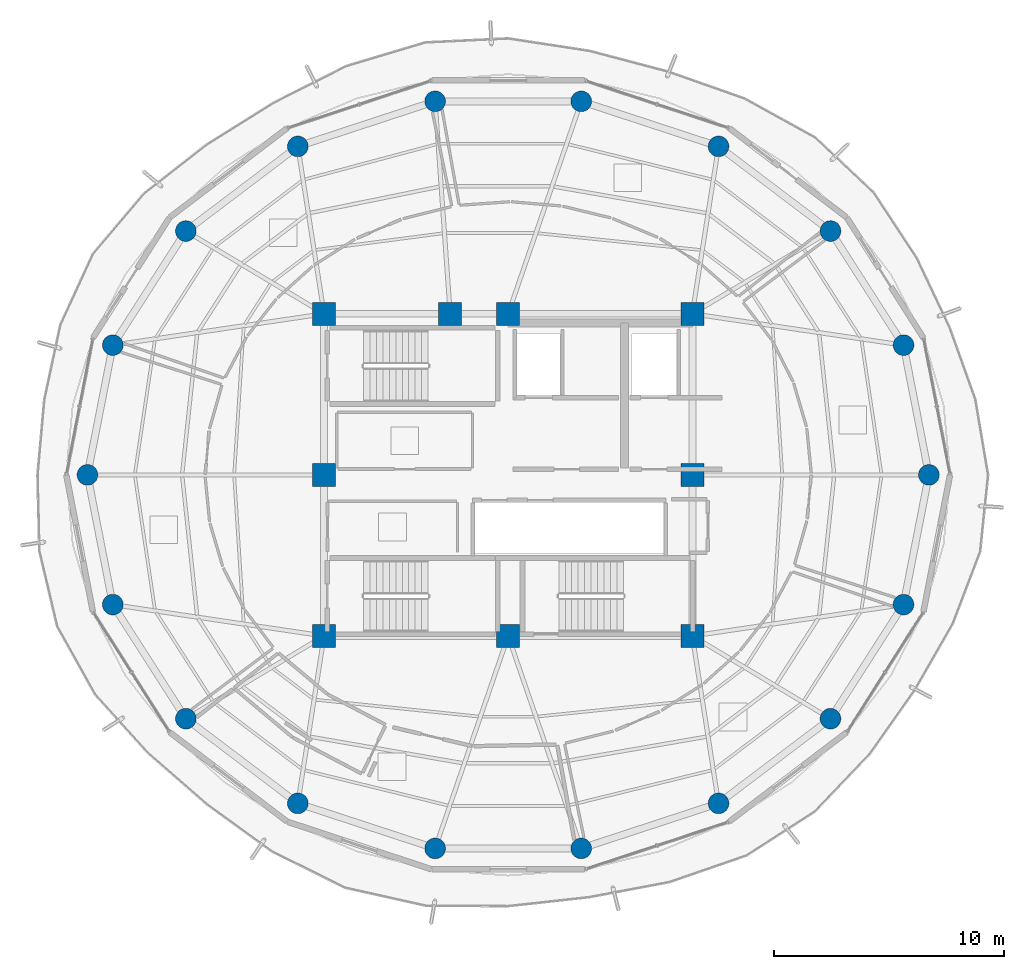
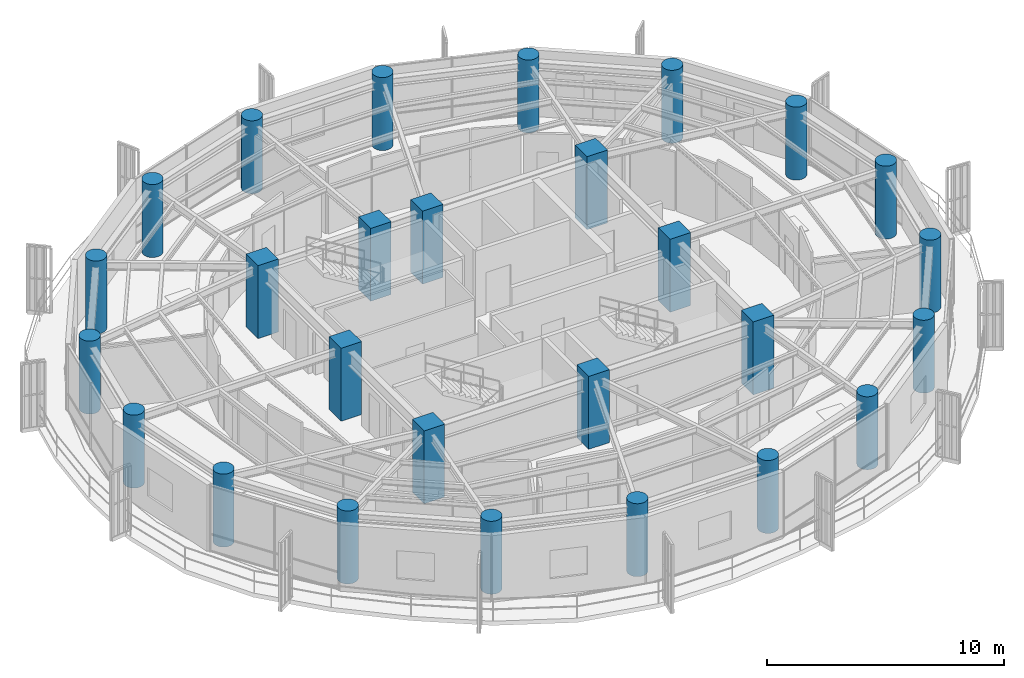
# One storey, part 1 of 23: 27 columns.
"""IFC4 building model written with IfcOpenShell, lengths in metres."""

from ifc_helpers import new_model, si_unit, direction, frame, origin, origin_2d, place, context, subcontext, project, spatial, rectangle, circle, extrude, material, material_profile, profile_set, type_object, element, save


model = new_model("IFC4")

# Units and contexts
model_context = context("Model", 3, precision=1e-05, world=origin(), true_north=direction((0.0, 1.0)))
body_context = subcontext(model_context, "Body", "Model", "MODEL_VIEW")
ifc_project = project(units=[si_unit("LENGTHUNIT", "METRE"), si_unit("AREAUNIT", "SQUARE_METRE"), si_unit("VOLUMEUNIT", "CUBIC_METRE"), si_unit("PLANEANGLEUNIT", "RADIAN"), si_unit("MASSUNIT", "GRAM", prefix="KILO")], contexts=[model_context])

# Site, building, storey
site_placement = place(None, origin())
site = spatial("IfcSite", under=ifc_project, at=site_placement, CompositionType="ELEMENT")
building_placement = place(site_placement, origin())
building = spatial("IfcBuilding", under=site, at=building_placement, Name="Kelanora Arch Commons", CompositionType="ELEMENT")
storey_placement = place(building_placement, frame((0.0, 0.0, 289.949951171875)))
storey = spatial("IfcBuildingStorey", under=building, at=storey_placement, Name="L74", CompositionType="ELEMENT", Elevation=289.949951171875)

# Columns
ifc_material = material(Name="Concrete C50/60", Category="concrete")
ifc_material_profile_1 = material_profile(ifc_material, circle(Radius=0.449951171875, at=origin_2d()), Name="RCC900")
ifc_profile_set_1 = profile_set([ifc_material_profile_1], Name="Concrete C50/60")
column_type_1 = type_object("IfcColumnType", Name="COL-PERIM-Z5", PredefinedType="COLUMN", material=ifc_profile_set_1)
for number, where, z_axis, x_axis, name in (
    (1, (92.280029296875, 58.0, 0.0), (0.0, 0.0, 1.0), (1.0, 0.0, 0.0), "Perimeter Ring Column CP-00 L74"),
    (2, (91.177490234375, 63.636474609375, 0.0), (0.0, 0.0, 1.0), (1.0, 0.0, 0.0), "Perimeter Ring Column CP-02 L74"),
    (3, (88.00341796875, 68.593017578125, 0.0), (0.0, 0.0, 1.0), (1.0, 0.0, 0.0), "Perimeter Ring Column CP-04 L74"),
    (4, (83.139892578125, 72.272216796875, 0.0), (0.0, 0.0, 1.0), (1.0, 0.0, 0.0), "Perimeter Ring Column CP-06 L74"),
    (5, (77.17431640625, 74.2294921875, 0.0), (0.0, 0.0, 1.0), (1.0, 0.0, 0.0), "Perimeter Ring Column CP-08 L74"),
    (6, (70.82568359375, 74.2294921875, 0.0), (0.0, 0.0, 1.0), (1.0, 0.0, 0.0), "Perimeter Ring Column CP-10 L74"),
    (7, (64.860107421875, 72.272216796875, 0.0), (0.0, 0.0, 1.0), (1.0, 0.0, 0.0), "Perimeter Ring Column CP-12 L74"),
    (8, (59.99658203125, 68.593017578125, 0.0), (0.0, 0.0, 1.0), (1.0, 0.0, 0.0), "Perimeter Ring Column CP-14 L74"),
    (9, (56.822509765625, 63.636474609375, 0.0), (0.0, 0.0, 1.0), (1.0, 0.0, 0.0), "Perimeter Ring Column CP-16 L74"),
    (10, (55.719970703125, 58.0, 0.0), (0.0, 0.0, 1.0), (1.0, 0.0, 0.0), "Perimeter Ring Column CP-18 L74"),
    (11, (56.822509765625, 52.363525390625, 0.0), (0.0, 0.0, 1.0), (1.0, 0.0, 0.0), "Perimeter Ring Column CP-20 L74"),
    (12, (59.99658203125, 47.406982421875, 0.0), (0.0, 0.0, 1.0), (1.0, 0.0, 0.0), "Perimeter Ring Column CP-22 L74"),
    (13, (64.860107421875, 43.727783203125, 0.0), (0.0, 0.0, 1.0), (1.0, 0.0, 0.0), "Perimeter Ring Column CP-24 L74"),
    (14, (70.82568359375, 41.7705078125, 0.0), (0.0, 0.0, 1.0), (1.0, 0.0, 0.0), "Perimeter Ring Column CP-26 L74"),
    (15, (77.17431640625, 41.7705078125, 0.0), (0.0, 0.0, 1.0), (1.0, 0.0, 0.0), "Perimeter Ring Column CP-28 L74"),
    (16, (83.139892578125, 43.727783203125, 0.0), (0.0, 0.0, 1.0), (1.0, 0.0, 0.0), "Perimeter Ring Column CP-30 L74"),
    (17, (88.00341796875, 47.406982421875, 0.0), (0.0, 0.0, 1.0), (1.0, 0.0, 0.0), "Perimeter Ring Column CP-32 L74"),
    (18, (91.177490234375, 52.363525390625, 0.0), (0.0, 0.0, 1.0), (1.0, 0.0, 0.0), "Perimeter Ring Column CP-34 L74"),
):
    element("IfcColumn", number, at=place(storey_placement, frame(where, z_axis=z_axis, x_axis=x_axis)), inside=storey, type_object=column_type_1, Name=name, PredefinedType="COLUMN", context=body_context, shape_type="SweptSolid", body=[
        extrude(circle(Radius=0.449951171875, at=origin_2d()), origin(), (0.0, 0.0, 1.0), 3.75),
    ])
ifc_material_profile_2 = material_profile(ifc_material, rectangle(XDim=1.0, YDim=1.0, at=origin_2d()), Name="RC1000x1000")
ifc_profile_set_2 = profile_set([ifc_material_profile_2], Name="Concrete C50/60")
column_type_2 = type_object("IfcColumnType", Name="COL-PIL-HIGH", PredefinedType="PILASTER", material=ifc_profile_set_2)
for number, where, z_axis, x_axis, name in (
    (19, (66.0, 51.0, 0.0), (0.0, 0.0, 1.0), (1.0, 0.0, 0.0), "Core Pilaster Column CP1 L74"),
    (20, (74.0, 51.0, 0.0), (0.0, 0.0, 1.0), (1.0, 0.0, 0.0), "Core Pilaster Column CP2 L74"),
    (21, (82.0, 51.0, 0.0), (0.0, 0.0, 1.0), (1.0, 0.0, 0.0), "Core Pilaster Column CP3 L74"),
    (22, (82.0, 58.0, 0.0), (0.0, 0.0, 1.0), (1.0, 0.0, 0.0), "Core Pilaster Column CP4 L74"),
    (23, (82.0, 65.0, 0.0), (0.0, 0.0, 1.0), (1.0, 0.0, 0.0), "Core Pilaster Column CP5 L74"),
    (24, (74.0, 65.0, 0.0), (0.0, 0.0, 1.0), (1.0, 0.0, 0.0), "Core Pilaster Column CP6 L74"),
    (25, (71.47998046875, 65.0, 0.0), (0.0, 0.0, 1.0), (1.0, 0.0, 0.0), "Core Pilaster Column CP9 L74"),
    (26, (66.0, 65.0, 0.0), (0.0, 0.0, 1.0), (1.0, 0.0, 0.0), "Core Pilaster Column CP7 L74"),
    (27, (66.0, 58.0, 0.0), (0.0, 0.0, 1.0), (1.0, 0.0, 0.0), "Core Pilaster Column CP8 L74"),
):
    element("IfcColumn", number, at=place(storey_placement, frame(where, z_axis=z_axis, x_axis=x_axis)), inside=storey, type_object=column_type_2, Name=name, PredefinedType="PILASTER", context=body_context, shape_type="SweptSolid", body=[
        extrude(rectangle(XDim=1.0, YDim=1.0, at=origin_2d()), origin(), (0.0, 0.0, 1.0), 3.75),
    ])

save(model, "model.ifc")
